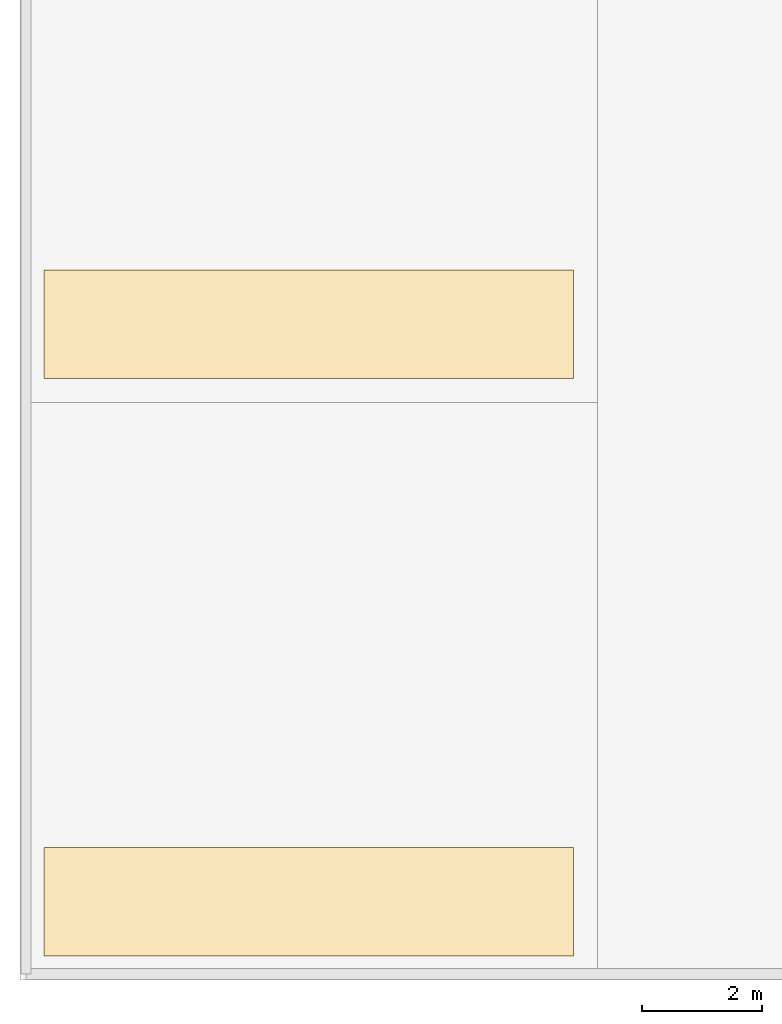
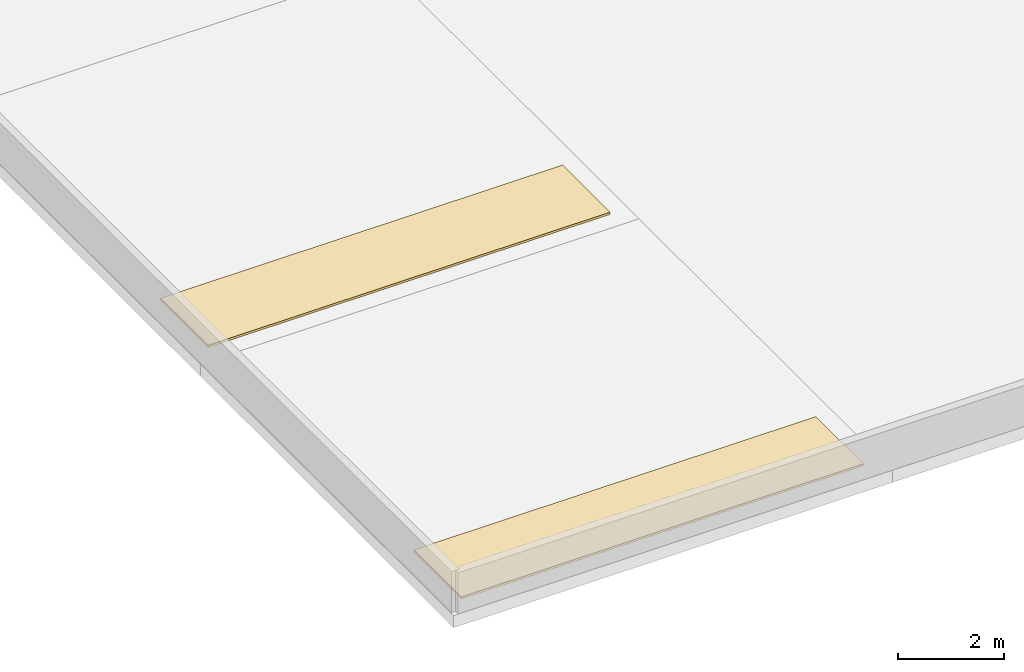
# One storey, part 2 of 2: 2 coverings.
"""IFC4 building model written with IfcOpenShell, lengths in metres."""

from ifc_helpers import new_model, si_unit, direction, frame, origin, place, context, subcontext, project, spatial, polyline, outline, extrude, material, layer, layer_set, type_object, element, save


model = new_model("IFC4")

# Units and contexts
model_context = context("Model", 3, precision=1e-05, world=origin(), true_north=direction((0.0, 1.0)))
body_context = subcontext(model_context, "Body", "Model", "MODEL_VIEW")
ifc_project = project(units=[si_unit("LENGTHUNIT", "METRE"), si_unit("AREAUNIT", "SQUARE_METRE"), si_unit("VOLUMEUNIT", "CUBIC_METRE"), si_unit("PLANEANGLEUNIT", "RADIAN"), si_unit("MASSUNIT", "GRAM", prefix="KILO")], contexts=[model_context])

# Site, building, storey
site_placement = place(None, origin())
site = spatial("IfcSite", under=ifc_project, at=site_placement, CompositionType="ELEMENT")
building_placement = place(site_placement, origin())
building = spatial("IfcBuilding", under=site, at=building_placement, Name="Coralgate Yard Interchange", CompositionType="ELEMENT")
storey_placement = place(building_placement, frame((0.0, 0.0, 27.300048828125)))
storey = spatial("IfcBuildingStorey", under=building, at=storey_placement, Name="RF", CompositionType="ELEMENT", Elevation=27.300048828125)

# Coverings
ifc_material = material(Name="High-albedo solar-reflective TPO coastal roof membrane")
ifc_layer = layer(ifc_material, 0.050048828125)
ifc_layer_set = layer_set([ifc_layer], Name="High-albedo solar-reflective TPO coastal roof membrane")
covering_type = type_object("IfcCoveringType", Name="COV-ROF1", PredefinedType="ROOFING", material=ifc_layer_set)
covering_1_placement = place(storey_placement, origin())
element("IfcCovering", 1, at=covering_1_placement, inside=storey, type_object=covering_type, Name="RF high-albedo TPO roof membrane 9", PredefinedType="ROOFING", context=body_context, shape_type="SweptSolid", body=[
    extrude(outline(polyline([(0.39990234375, 0.39990234375), (9.199951171875, 0.39990234375), (9.199951171875, 2.199951171875), (0.39990234375, 2.199951171875), (0.39990234375, 0.39990234375)])), origin(), (0.0, 0.0, 1.0), 0.050048828125),
])
covering_2_placement = place(storey_placement, origin())
element("IfcCovering", 2, at=covering_2_placement, inside=storey, type_object=covering_type, Name="RF high-albedo TPO roof membrane 10", PredefinedType="ROOFING", context=body_context, shape_type="SweptSolid", body=[
    extrude(outline(polyline([(0.39990234375, 10.0), (9.199951171875, 10.0), (9.199951171875, 11.800048828125), (0.39990234375, 11.800048828125), (0.39990234375, 10.0)])), origin(), (0.0, 0.0, 1.0), 0.050048828125),
])

save(model, "model.ifc")
